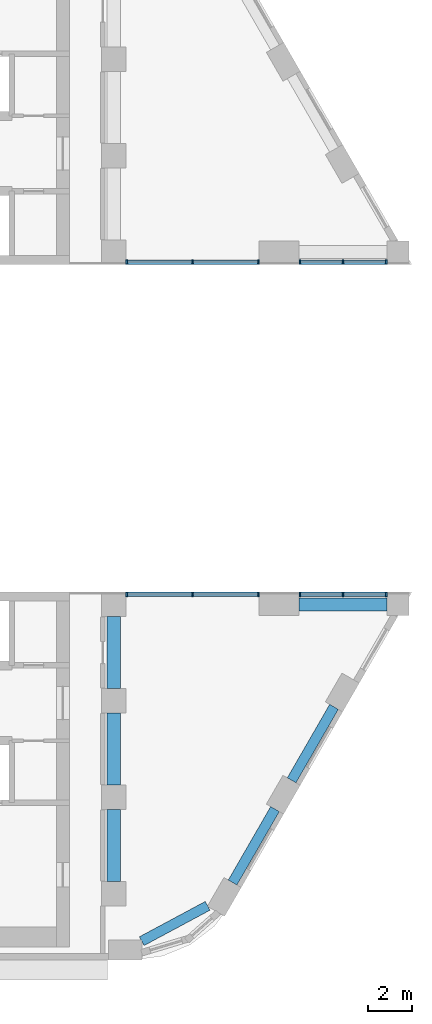
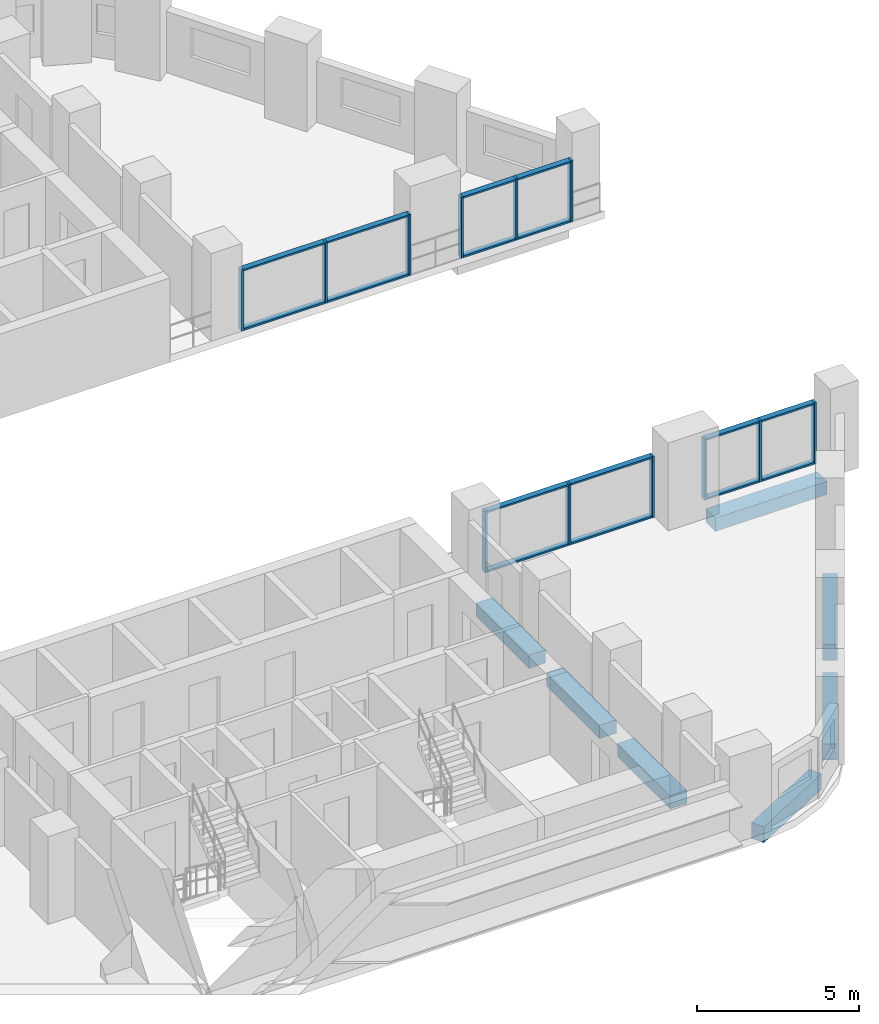
# One storey, part 3 of 11: 28 members, 7 beams, 4 elements without a shape of their own.
"""IFC4 building model written with IfcOpenShell, lengths in metres."""

from ifc_helpers import new_model, si_unit, direction, frame, origin, origin_2d, place, context, subcontext, project, spatial, rectangle, extrude, material, layer, layer_set, material_profile, profile_set, type_object, element, aggregate, save


model = new_model("IFC4")

# Units and contexts
model_context = context("Model", 3, precision=1e-05, world=origin(), true_north=direction((0.0, 1.0)))
body_context = subcontext(model_context, "Body", "Model", "MODEL_VIEW")
ifc_project = project(units=[si_unit("LENGTHUNIT", "METRE"), si_unit("AREAUNIT", "SQUARE_METRE"), si_unit("VOLUMEUNIT", "CUBIC_METRE"), si_unit("PLANEANGLEUNIT", "RADIAN"), si_unit("MASSUNIT", "GRAM", prefix="KILO")], contexts=[model_context])

# Site, building, storey
site_placement = place(None, origin())
site = spatial("IfcSite", under=ifc_project, at=site_placement, CompositionType="ELEMENT")
building_placement = place(site_placement, origin())
building = spatial("IfcBuilding", under=site, at=building_placement, Name="Nakaniwa Court", CompositionType="ELEMENT")
storey_placement = place(building_placement, frame((0.0, 0.0, 34.800048828125)))
storey = spatial("IfcBuildingStorey", under=building, at=storey_placement, Name="L08", CompositionType="ELEMENT", Elevation=34.800048828125)

# Beams
ifc_material_1 = material(Name="Concrete C100/115", Category="concrete")
ifc_material_profile_1 = material_profile(ifc_material_1, rectangle(XDim=0.449951171875, YDim=0.60009765625, at=origin_2d()), Name="Concrete C100/115 RC 450x600 spandrel beam")
ifc_profile_set_1 = profile_set([ifc_material_profile_1], Name="Concrete C100/115")
beam_type_1 = type_object("IfcBeamType", Name="Concrete C100/115 RC 450x600 spandrel beam", PredefinedType="BEAM", material=ifc_profile_set_1)
beam_1_placement = place(storey_placement, frame((91.257080078125, 56.852294921875, -0.574951171875), z_axis=(0.881234537383, 0.472679267711, 0.0), x_axis=(-0.472679267711, 0.881234537383, 0.0)))
element("IfcBeam", 1, at=beam_1_placement, inside=storey, type_object=beam_type_1, Name="SPANDREL BEAM", PredefinedType="BEAM", context=body_context, shape_type="SweptSolid", body=[
    extrude(rectangle(XDim=0.449951171875, YDim=0.60009765625, at=origin_2d()), origin(), (0.0, 0.0, 1.0), 3.373291015625),
])
beam_2_placement = place(storey_placement, frame((95.357421875, 59.5, -0.574951171875), z_axis=(0.500009674092, 0.866019818373, 0.0), x_axis=(-0.866019818373, 0.500009674092, 0.0)))
element("IfcBeam", 2, at=beam_2_placement, inside=storey, type_object=beam_type_1, Name="SPANDREL BEAM", PredefinedType="BEAM", context=body_context, shape_type="SweptSolid", body=[
    extrude(rectangle(XDim=0.449951171875, YDim=0.60009765625, at=origin_2d()), origin(), (0.0, 0.0, 1.0), 3.826171875),
])
beam_3_placement = place(storey_placement, frame((98.0205078125, 64.1123046875, -0.574951171875), z_axis=(0.499961815444, 0.866047448526, 0.0), x_axis=(-0.866047448526, 0.499961815444, 0.0)))
element("IfcBeam", 3, at=beam_3_placement, inside=storey, type_object=beam_type_1, Name="SPANDREL BEAM", PredefinedType="BEAM", context=body_context, shape_type="SweptSolid", body=[
    extrude(rectangle(XDim=0.449951171875, YDim=0.60009765625, at=origin_2d()), origin(), (0.0, 0.0, 1.0), 3.825927734375),
])
ifc_material_profile_2 = material_profile(ifc_material_1, rectangle(XDim=0.60009765625, YDim=0.5, at=origin_2d()), Name="Concrete C100/115 RC 600x500 ring beam")
ifc_profile_set_2 = profile_set([ifc_material_profile_2], Name="Concrete C100/115")
beam_type_2 = type_object("IfcBeamType", Name="Concrete C100/115 RC 600x500 ring beam", PredefinedType="BEAM", material=ifc_profile_set_2)
for number, where, z_axis, x_axis, name in (
    (4, (90.0, 59.550048828125, -0.525146484375), (0.0, 1.0, 0.0), (-1.0, 0.0, 0.0), "RING BEAM"),
    (5, (90.0, 63.89990234375, -0.525146484375), (0.0, 1.0, 0.0), (-1.0, 0.0, 0.0), "RING BEAM"),
    (6, (90.0, 68.25, -0.525146484375), (0.0, 1.0, 0.0), (-1.0, 0.0, 0.0), "RING BEAM"),
):
    element("IfcBeam", number, at=place(storey_placement, frame(where, z_axis=z_axis, x_axis=x_axis)), inside=storey, type_object=beam_type_2, Name=name, PredefinedType="BEAM", context=body_context, shape_type="SweptSolid", body=[
        extrude(rectangle(XDim=0.60009765625, YDim=0.5, at=origin_2d()), origin(), (0.0, 0.0, 1.0), 3.25),
    ])
beam_4_placement = place(storey_placement, frame((98.35791015625, 72.050048828125, -0.525146484375), z_axis=(1.0, 0.0, 0.0), x_axis=(0.0, 1.0, 0.0)))
element("IfcBeam", 7, at=beam_4_placement, inside=storey, type_object=beam_type_2, Name="RING BEAM", PredefinedType="BEAM", context=body_context, shape_type="SweptSolid", body=[
    extrude(rectangle(XDim=0.60009765625, YDim=0.5, at=origin_2d()), origin(), (0.0, 0.0, 1.0), 3.965087890625),
])

# Curtain wall, members
ifc_material_2 = material(Name="Black anodised aluminium frame with dark low-E laminated double glazing", Category="aluminium")
ifc_layer = layer(ifc_material_2, 0.199951171875)
ifc_layer_set = layer_set([ifc_layer], Name="Black anodised aluminium frame with dark low-E laminated double glazing")
curtain_wall_type = type_object("IfcCurtainWallType", Name="Portal side curtain wall", PredefinedType="NOTDEFINED", material=ifc_layer_set)
curtain_wall_1_placement = place(storey_placement, origin())
curtain_wall_1 = element("IfcCurtainWall", 8, at=curtain_wall_1_placement, inside=storey, type_object=curtain_wall_type, Name="L08 curtain wall CW5 02", PredefinedType="NOTDEFINED")
ifc_material_3 = material(Name="Black anodised aluminium extrusion", Category="aluminium")
ifc_material_profile_3 = material_profile(ifc_material_3, rectangle(XDim=0.199951171875, YDim=0.074951171875, at=origin_2d()), Name="Portal side curtain wall mullion 75x200")
ifc_profile_set_3 = profile_set([ifc_material_profile_3], Name="Black anodised aluminium extrusion")
member_type_1 = type_object("IfcMemberType", Name="Portal side curtain wall mullion 75x200", PredefinedType="MULLION", material=ifc_profile_set_3)
member_1_placement = place(storey_placement, frame((102.28955078125, 72.5, 0.0), z_axis=(0.0, 0.0, 1.0), x_axis=(0.0, -1.0, 0.0)))
member_1 = element("IfcMember", 9, at=member_1_placement, type_object=member_type_1, Name="CW5 mullion 1", PredefinedType="MULLION", context=body_context, shape_type="SweptSolid", body=[
    extrude(rectangle(XDim=0.199951171875, YDim=0.074951171875, at=origin_2d()), origin(), (0.0, 0.0, 1.0), 2.300048828125),
])
member_2_placement = place(storey_placement, frame((100.340576171875, 72.5, 0.0), z_axis=(0.0, 0.0, 1.0), x_axis=(0.0, -1.0, 0.0)))
member_2 = element("IfcMember", 10, at=member_2_placement, type_object=member_type_1, Name="CW5 mullion 2", PredefinedType="MULLION", context=body_context, shape_type="SweptSolid", body=[
    extrude(rectangle(XDim=0.199951171875, YDim=0.074951171875, at=origin_2d()), origin(), (0.0, 0.0, 1.0), 2.300048828125),
])
member_3_placement = place(storey_placement, frame((98.3916015625, 72.5, 0.0), z_axis=(0.0, 0.0, 1.0), x_axis=(0.0, -1.0, 0.0)))
member_3 = element("IfcMember", 11, at=member_3_placement, type_object=member_type_1, Name="CW5 mullion 3", PredefinedType="MULLION", context=body_context, shape_type="SweptSolid", body=[
    extrude(rectangle(XDim=0.199951171875, YDim=0.074951171875, at=origin_2d()), origin(), (0.0, 0.0, 1.0), 2.300048828125),
])

curtain_wall_2_placement = place(storey_placement, origin())
curtain_wall_2 = element("IfcCurtainWall", 12, at=curtain_wall_2_placement, inside=storey, type_object=curtain_wall_type, Name="L08 curtain wall CW5 03", PredefinedType="NOTDEFINED")
member_4_placement = place(storey_placement, frame((96.5244140625, 72.5, 0.0), z_axis=(0.0, 0.0, 1.0), x_axis=(0.0, -1.0, 0.0)))
member_4 = element("IfcMember", 13, at=member_4_placement, type_object=member_type_1, Name="CW5 mullion 1", PredefinedType="MULLION", context=body_context, shape_type="SweptSolid", body=[
    extrude(rectangle(XDim=0.199951171875, YDim=0.074951171875, at=origin_2d()), origin(), (0.0, 0.0, 1.0), 2.300048828125),
])
member_5_placement = place(storey_placement, frame((93.553955078125, 72.5, 0.0), z_axis=(0.0, 0.0, 1.0), x_axis=(0.0, -1.0, 0.0)))
member_5 = element("IfcMember", 14, at=member_5_placement, type_object=member_type_1, Name="CW5 mullion 2", PredefinedType="MULLION", context=body_context, shape_type="SweptSolid", body=[
    extrude(rectangle(XDim=0.199951171875, YDim=0.074951171875, at=origin_2d()), origin(), (0.0, 0.0, 1.0), 2.300048828125),
])
member_6_placement = place(storey_placement, frame((90.58349609375, 72.5, 0.0), z_axis=(0.0, 0.0, 1.0), x_axis=(0.0, -1.0, 0.0)))
member_6 = element("IfcMember", 15, at=member_6_placement, type_object=member_type_1, Name="CW5 mullion 3", PredefinedType="MULLION", context=body_context, shape_type="SweptSolid", body=[
    extrude(rectangle(XDim=0.199951171875, YDim=0.074951171875, at=origin_2d()), origin(), (0.0, 0.0, 1.0), 2.300048828125),
])

curtain_wall_3_placement = place(storey_placement, origin())
curtain_wall_3 = element("IfcCurtainWall", 16, at=curtain_wall_3_placement, inside=storey, type_object=curtain_wall_type, Name="L08 curtain wall CW5 19", PredefinedType="NOTDEFINED")
member_7_placement = place(storey_placement, frame((90.58349609375, 87.5, 0.0), z_axis=(0.0, 0.0, 1.0), x_axis=(0.0, 1.0, 0.0)))
member_7 = element("IfcMember", 17, at=member_7_placement, type_object=member_type_1, Name="CW5 mullion 1", PredefinedType="MULLION", context=body_context, shape_type="SweptSolid", body=[
    extrude(rectangle(XDim=0.199951171875, YDim=0.074951171875, at=origin_2d()), origin(), (0.0, 0.0, 1.0), 2.300048828125),
])
member_8_placement = place(storey_placement, frame((93.553955078125, 87.5, 0.0), z_axis=(0.0, 0.0, 1.0), x_axis=(0.0, 1.0, 0.0)))
member_8 = element("IfcMember", 18, at=member_8_placement, type_object=member_type_1, Name="CW5 mullion 2", PredefinedType="MULLION", context=body_context, shape_type="SweptSolid", body=[
    extrude(rectangle(XDim=0.199951171875, YDim=0.074951171875, at=origin_2d()), origin(), (0.0, 0.0, 1.0), 2.300048828125),
])
member_9_placement = place(storey_placement, frame((96.5244140625, 87.5, 0.0), z_axis=(0.0, 0.0, 1.0), x_axis=(0.0, 1.0, 0.0)))
member_9 = element("IfcMember", 19, at=member_9_placement, type_object=member_type_1, Name="CW5 mullion 3", PredefinedType="MULLION", context=body_context, shape_type="SweptSolid", body=[
    extrude(rectangle(XDim=0.199951171875, YDim=0.074951171875, at=origin_2d()), origin(), (0.0, 0.0, 1.0), 2.300048828125),
])

curtain_wall_4_placement = place(storey_placement, origin())
curtain_wall_4 = element("IfcCurtainWall", 20, at=curtain_wall_4_placement, inside=storey, type_object=curtain_wall_type, Name="L08 curtain wall CW5 20", PredefinedType="NOTDEFINED")
member_10_placement = place(storey_placement, frame((98.3916015625, 87.5, 0.0), z_axis=(0.0, 0.0, 1.0), x_axis=(0.0, 1.0, 0.0)))
member_10 = element("IfcMember", 21, at=member_10_placement, type_object=member_type_1, Name="CW5 mullion 1", PredefinedType="MULLION", context=body_context, shape_type="SweptSolid", body=[
    extrude(rectangle(XDim=0.199951171875, YDim=0.074951171875, at=origin_2d()), origin(), (0.0, 0.0, 1.0), 2.300048828125),
])
member_11_placement = place(storey_placement, frame((100.340576171875, 87.5, 0.0), z_axis=(0.0, 0.0, 1.0), x_axis=(0.0, 1.0, 0.0)))
member_11 = element("IfcMember", 22, at=member_11_placement, type_object=member_type_1, Name="CW5 mullion 2", PredefinedType="MULLION", context=body_context, shape_type="SweptSolid", body=[
    extrude(rectangle(XDim=0.199951171875, YDim=0.074951171875, at=origin_2d()), origin(), (0.0, 0.0, 1.0), 2.300048828125),
])
member_12_placement = place(storey_placement, frame((102.28955078125, 87.5, 0.0), z_axis=(0.0, 0.0, 1.0), x_axis=(0.0, 1.0, 0.0)))
member_12 = element("IfcMember", 23, at=member_12_placement, type_object=member_type_1, Name="CW5 mullion 3", PredefinedType="MULLION", context=body_context, shape_type="SweptSolid", body=[
    extrude(rectangle(XDim=0.199951171875, YDim=0.074951171875, at=origin_2d()), origin(), (0.0, 0.0, 1.0), 2.300048828125),
])

# Member
ifc_material_profile_4 = material_profile(ifc_material_3, rectangle(XDim=0.199951171875, YDim=0.06494140625, at=origin_2d()), Name="Portal side curtain wall transom 65x200")
ifc_profile_set_4 = profile_set([ifc_material_profile_4], Name="Black anodised aluminium extrusion")
member_type_2 = type_object("IfcMemberType", Name="Portal side curtain wall transom 65x200", PredefinedType="USERDEFINED", material=ifc_profile_set_4)
member_13_placement = place(storey_placement, frame((102.251953125, 72.5, 0.032470703125), z_axis=(-1.0, 0.0, 0.0), x_axis=(0.0, -1.0, 0.0)))
member_13 = element("IfcMember", 24, at=member_13_placement, type_object=member_type_2, Name="CW5 transom 1.1", ObjectType="TRANSOM", PredefinedType="USERDEFINED", context=body_context, shape_type="SweptSolid", body=[
    extrude(rectangle(XDim=0.199951171875, YDim=0.06494140625, at=origin_2d()), origin(), (0.0, 0.0, 1.0), 1.8740234375),
])

member_14_placement = place(storey_placement, frame((102.251953125, 72.5, 2.267333984375), z_axis=(-1.0, 0.0, 0.0), x_axis=(0.0, -1.0, 0.0)))
member_14 = element("IfcMember", 25, at=member_14_placement, type_object=member_type_2, Name="CW5 transom 1.2", ObjectType="TRANSOM", PredefinedType="USERDEFINED", context=body_context, shape_type="SweptSolid", body=[
    extrude(rectangle(XDim=0.199951171875, YDim=0.06494140625, at=origin_2d()), origin(), (0.0, 0.0, 1.0), 1.8740234375),
])

member_15_placement = place(storey_placement, frame((100.302978515625, 72.5, 0.032470703125), z_axis=(-1.0, 0.0, 0.0), x_axis=(0.0, -1.0, 0.0)))
member_15 = element("IfcMember", 26, at=member_15_placement, type_object=member_type_2, Name="CW5 transom 2.1", ObjectType="TRANSOM", PredefinedType="USERDEFINED", context=body_context, shape_type="SweptSolid", body=[
    extrude(rectangle(XDim=0.199951171875, YDim=0.06494140625, at=origin_2d()), origin(), (0.0, 0.0, 1.0), 1.8740234375),
])

member_16_placement = place(storey_placement, frame((100.302978515625, 72.5, 2.267333984375), z_axis=(-1.0, 0.0, 0.0), x_axis=(0.0, -1.0, 0.0)))
member_16 = element("IfcMember", 27, at=member_16_placement, type_object=member_type_2, Name="CW5 transom 2.2", ObjectType="TRANSOM", PredefinedType="USERDEFINED", context=body_context, shape_type="SweptSolid", body=[
    extrude(rectangle(XDim=0.199951171875, YDim=0.06494140625, at=origin_2d()), origin(), (0.0, 0.0, 1.0), 1.8740234375),
])

aggregate(curtain_wall_1, [member_1, member_2, member_3, member_13, member_14, member_15, member_16])

member_17_placement = place(storey_placement, frame((96.487060546875, 72.5, 0.032470703125), z_axis=(-1.0, 0.0, 0.0), x_axis=(0.0, -1.0, 0.0)))
member_17 = element("IfcMember", 28, at=member_17_placement, type_object=member_type_2, Name="CW5 transom 1.1", ObjectType="TRANSOM", PredefinedType="USERDEFINED", context=body_context, shape_type="SweptSolid", body=[
    extrude(rectangle(XDim=0.199951171875, YDim=0.06494140625, at=origin_2d()), origin(), (0.0, 0.0, 1.0), 2.8955078125),
])

member_18_placement = place(storey_placement, frame((96.487060546875, 72.5, 2.267333984375), z_axis=(-1.0, 0.0, 0.0), x_axis=(0.0, -1.0, 0.0)))
member_18 = element("IfcMember", 29, at=member_18_placement, type_object=member_type_2, Name="CW5 transom 1.2", ObjectType="TRANSOM", PredefinedType="USERDEFINED", context=body_context, shape_type="SweptSolid", body=[
    extrude(rectangle(XDim=0.199951171875, YDim=0.06494140625, at=origin_2d()), origin(), (0.0, 0.0, 1.0), 2.8955078125),
])

member_19_placement = place(storey_placement, frame((93.5166015625, 72.5, 0.032470703125), z_axis=(-1.0, 0.0, 0.0), x_axis=(0.0, -1.0, 0.0)))
member_19 = element("IfcMember", 30, at=member_19_placement, type_object=member_type_2, Name="CW5 transom 2.1", ObjectType="TRANSOM", PredefinedType="USERDEFINED", context=body_context, shape_type="SweptSolid", body=[
    extrude(rectangle(XDim=0.199951171875, YDim=0.06494140625, at=origin_2d()), origin(), (0.0, 0.0, 1.0), 2.8955078125),
])

member_20_placement = place(storey_placement, frame((93.5166015625, 72.5, 2.267333984375), z_axis=(-1.0, 0.0, 0.0), x_axis=(0.0, -1.0, 0.0)))
member_20 = element("IfcMember", 31, at=member_20_placement, type_object=member_type_2, Name="CW5 transom 2.2", ObjectType="TRANSOM", PredefinedType="USERDEFINED", context=body_context, shape_type="SweptSolid", body=[
    extrude(rectangle(XDim=0.199951171875, YDim=0.06494140625, at=origin_2d()), origin(), (0.0, 0.0, 1.0), 2.8955078125),
])

aggregate(curtain_wall_2, [member_4, member_5, member_6, member_17, member_18, member_19, member_20])

member_21_placement = place(storey_placement, frame((90.62109375, 87.5, 0.032470703125), z_axis=(1.0, 0.0, 0.0), x_axis=(0.0, 1.0, 0.0)))
member_21 = element("IfcMember", 32, at=member_21_placement, type_object=member_type_2, Name="CW5 transom 1.1", ObjectType="TRANSOM", PredefinedType="USERDEFINED", context=body_context, shape_type="SweptSolid", body=[
    extrude(rectangle(XDim=0.199951171875, YDim=0.06494140625, at=origin_2d()), origin(), (0.0, 0.0, 1.0), 2.8955078125),
])

member_22_placement = place(storey_placement, frame((90.62109375, 87.5, 2.267333984375), z_axis=(1.0, 0.0, 0.0), x_axis=(0.0, 1.0, 0.0)))
member_22 = element("IfcMember", 33, at=member_22_placement, type_object=member_type_2, Name="CW5 transom 1.2", ObjectType="TRANSOM", PredefinedType="USERDEFINED", context=body_context, shape_type="SweptSolid", body=[
    extrude(rectangle(XDim=0.199951171875, YDim=0.06494140625, at=origin_2d()), origin(), (0.0, 0.0, 1.0), 2.8955078125),
])

member_23_placement = place(storey_placement, frame((93.591552734375, 87.5, 0.032470703125), z_axis=(1.0, 0.0, 0.0), x_axis=(0.0, 1.0, 0.0)))
member_23 = element("IfcMember", 34, at=member_23_placement, type_object=member_type_2, Name="CW5 transom 2.1", ObjectType="TRANSOM", PredefinedType="USERDEFINED", context=body_context, shape_type="SweptSolid", body=[
    extrude(rectangle(XDim=0.199951171875, YDim=0.06494140625, at=origin_2d()), origin(), (0.0, 0.0, 1.0), 2.8955078125),
])

member_24_placement = place(storey_placement, frame((93.591552734375, 87.5, 2.267333984375), z_axis=(1.0, 0.0, 0.0), x_axis=(0.0, 1.0, 0.0)))
member_24 = element("IfcMember", 35, at=member_24_placement, type_object=member_type_2, Name="CW5 transom 2.2", ObjectType="TRANSOM", PredefinedType="USERDEFINED", context=body_context, shape_type="SweptSolid", body=[
    extrude(rectangle(XDim=0.199951171875, YDim=0.06494140625, at=origin_2d()), origin(), (0.0, 0.0, 1.0), 2.8955078125),
])

aggregate(curtain_wall_3, [member_7, member_8, member_9, member_21, member_22, member_23, member_24])

member_25_placement = place(storey_placement, frame((98.428955078125, 87.5, 0.032470703125), z_axis=(1.0, 0.0, 0.0), x_axis=(0.0, 1.0, 0.0)))
member_25 = element("IfcMember", 36, at=member_25_placement, type_object=member_type_2, Name="CW5 transom 1.1", ObjectType="TRANSOM", PredefinedType="USERDEFINED", context=body_context, shape_type="SweptSolid", body=[
    extrude(rectangle(XDim=0.199951171875, YDim=0.06494140625, at=origin_2d()), origin(), (0.0, 0.0, 1.0), 1.8740234375),
])

member_26_placement = place(storey_placement, frame((98.428955078125, 87.5, 2.267333984375), z_axis=(1.0, 0.0, 0.0), x_axis=(0.0, 1.0, 0.0)))
member_26 = element("IfcMember", 37, at=member_26_placement, type_object=member_type_2, Name="CW5 transom 1.2", ObjectType="TRANSOM", PredefinedType="USERDEFINED", context=body_context, shape_type="SweptSolid", body=[
    extrude(rectangle(XDim=0.199951171875, YDim=0.06494140625, at=origin_2d()), origin(), (0.0, 0.0, 1.0), 1.8740234375),
])

member_27_placement = place(storey_placement, frame((100.3779296875, 87.5, 0.032470703125), z_axis=(1.0, 0.0, 0.0), x_axis=(0.0, 1.0, 0.0)))
member_27 = element("IfcMember", 38, at=member_27_placement, type_object=member_type_2, Name="CW5 transom 2.1", ObjectType="TRANSOM", PredefinedType="USERDEFINED", context=body_context, shape_type="SweptSolid", body=[
    extrude(rectangle(XDim=0.199951171875, YDim=0.06494140625, at=origin_2d()), origin(), (0.0, 0.0, 1.0), 1.8740234375),
])

member_28_placement = place(storey_placement, frame((100.3779296875, 87.5, 2.267333984375), z_axis=(1.0, 0.0, 0.0), x_axis=(0.0, 1.0, 0.0)))
member_28 = element("IfcMember", 39, at=member_28_placement, type_object=member_type_2, Name="CW5 transom 2.2", ObjectType="TRANSOM", PredefinedType="USERDEFINED", context=body_context, shape_type="SweptSolid", body=[
    extrude(rectangle(XDim=0.199951171875, YDim=0.06494140625, at=origin_2d()), origin(), (0.0, 0.0, 1.0), 1.8740234375),
])

aggregate(curtain_wall_4, [member_10, member_11, member_12, member_25, member_26, member_27, member_28])

save(model, "model.ifc")
